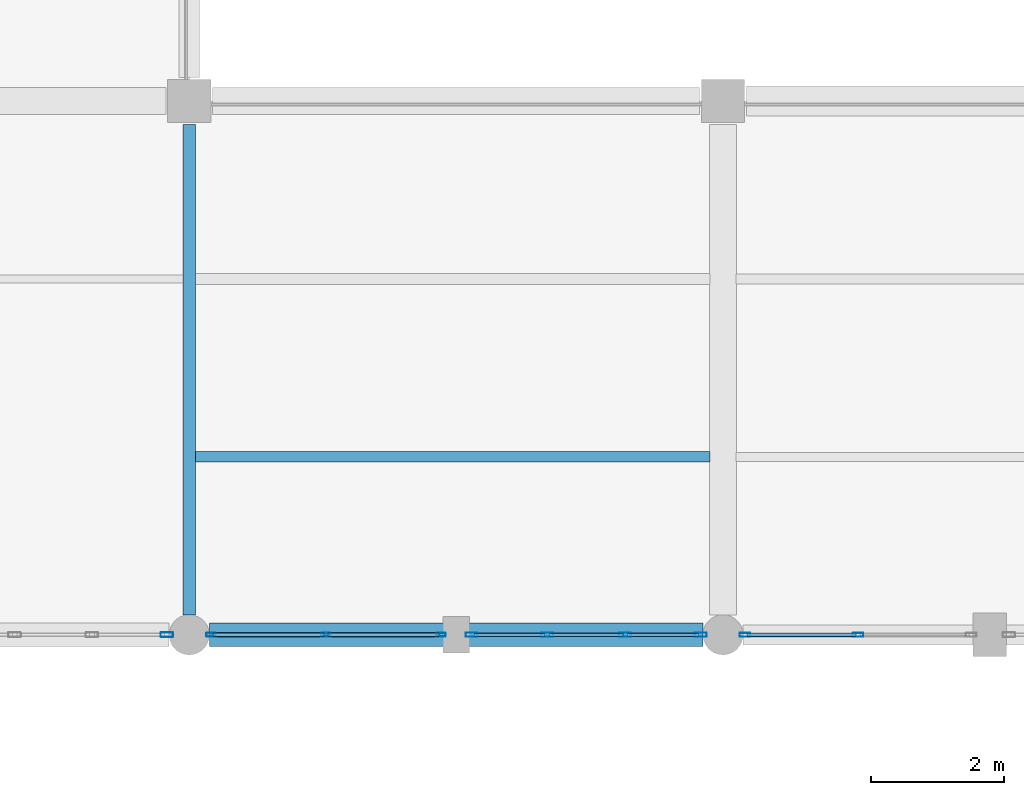
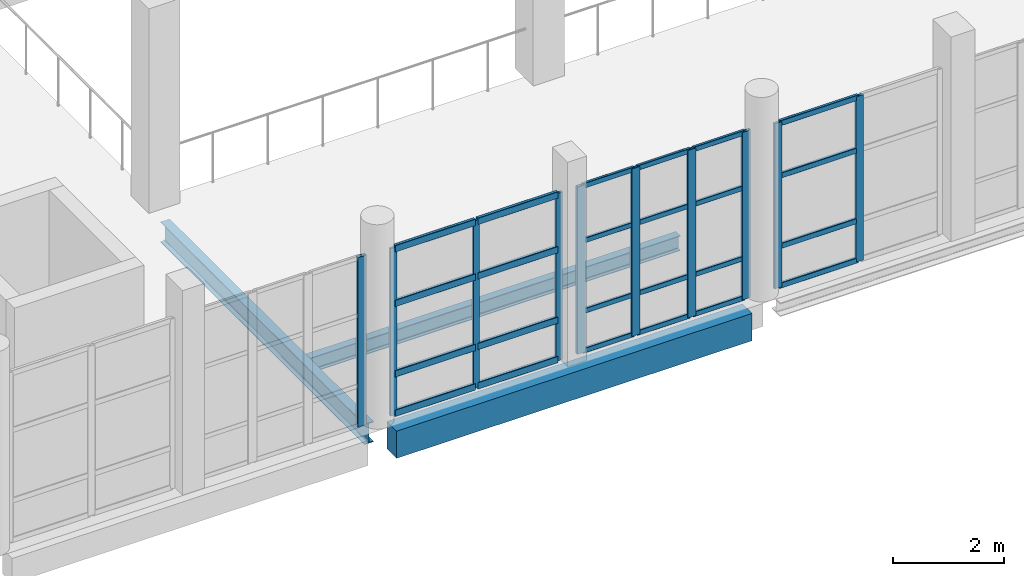
# One storey, part 16 of 183: 34 members, 3 beams, 4 elements without a shape of their own.
"""IFC4 building model written with IfcOpenShell, lengths in metres."""

from ifc_helpers import new_model, si_unit, direction, frame, origin, origin_2d, place, context, subcontext, project, spatial, rectangle, hollow_rectangle, i_section, extrude, material, material_profile, profile_set, type_object, element, aggregate, save


model = new_model("IFC4")

# Units and contexts
model_context = context("Model", 3, precision=1e-05, world=origin(), true_north=direction((0.0, 1.0)))
body_context = subcontext(model_context, "Body", "Model", "MODEL_VIEW")
ifc_project = project(units=[si_unit("LENGTHUNIT", "METRE"), si_unit("AREAUNIT", "SQUARE_METRE"), si_unit("VOLUMEUNIT", "CUBIC_METRE"), si_unit("PLANEANGLEUNIT", "RADIAN"), si_unit("MASSUNIT", "GRAM", prefix="KILO")], contexts=[model_context])

# Site, building, storey
site_placement = place(None, origin())
site = spatial("IfcSite", under=ifc_project, at=site_placement, CompositionType="ELEMENT")
building_placement = place(site_placement, origin())
building = spatial("IfcBuilding", under=site, at=building_placement, Name="Luwemba Playhouse", CompositionType="ELEMENT")
storey_placement = place(building_placement, frame((0.0, 0.0, 4.800048828125)))
storey = spatial("IfcBuildingStorey", under=building, at=storey_placement, Name="L01", CompositionType="ELEMENT", Elevation=4.800048828125)

# Beams
ifc_material_1 = material(Name="Steel S355", Category="steel")
ifc_material_profile_1 = material_profile(ifc_material_1, i_section(OverallWidth=0.18994140625, OverallDepth=0.449951171875, WebThickness=0.009521484375, FlangeThickness=0.0146484375, FilletRadius=0.02099609375, at=origin_2d()))
ifc_profile_set_1 = profile_set([ifc_material_profile_1], Name="Steel S355")
beam_type_1 = type_object("IfcBeamType", Name="BM-SB06", PredefinedType="BEAM", material=ifc_profile_set_1)
beam_1_placement = place(storey_placement, frame((20.0, 3.300048828125, -0.47509765625), z_axis=(0.0, 1.0, 0.0), x_axis=(-1.0, 0.0, 0.0)))
element("IfcBeam", 1, at=beam_1_placement, inside=storey, type_object=beam_type_1, Name="L01 transverse girder 0502", PredefinedType="BEAM", context=body_context, shape_type="SweptSolid", body=[
    extrude(i_section(OverallWidth=0.18994140625, OverallDepth=0.449951171875, WebThickness=0.009521484375, FlangeThickness=0.0146484375, FilletRadius=0.02099609375, at=origin_2d()), origin(), (0.0, 0.0, 1.0), 7.349853515625),
])
ifc_material_profile_2 = material_profile(ifc_material_1, i_section(OverallWidth=0.159912109375, OverallDepth=0.330078125, WebThickness=0.007568359375, FlangeThickness=0.011474609375, FilletRadius=0.01806640625, at=origin_2d()))
ifc_profile_set_2 = profile_set([ifc_material_profile_2], Name="Steel S355")
beam_type_2 = type_object("IfcBeamType", Name="BM-SJ06", PredefinedType="JOIST", material=ifc_profile_set_2)
beam_2_placement = place(storey_placement, frame((20.091064453125, 5.666748046875, -0.4150390625), z_axis=(1.0, 0.0, 0.0), x_axis=(0.0, 1.0, 0.0)))
element("IfcBeam", 2, at=beam_2_placement, inside=storey, type_object=beam_type_2, Name="L01 composite floor joist 0283", PredefinedType="JOIST", context=body_context, shape_type="SweptSolid", body=[
    extrude(i_section(OverallWidth=0.159912109375, OverallDepth=0.330078125, WebThickness=0.007568359375, FlangeThickness=0.011474609375, FilletRadius=0.01806640625, at=origin_2d()), origin(), (0.0, 0.0, 1.0), 7.712890625),
])
ifc_material_2 = material(Name="Concrete C40/50", Category="concrete")
ifc_material_profile_3 = material_profile(ifc_material_2, rectangle(XDim=0.35009765625, YDim=0.60009765625, at=origin_2d()))
ifc_profile_set_3 = profile_set([ifc_material_profile_3], Name="Concrete C40/50")
beam_type_3 = type_object("IfcBeamType", Name="BM-SP3", PredefinedType="SPANDREL", material=ifc_profile_set_3)
beam_3_placement = place(storey_placement, frame((20.300048828125, 3.0, -0.550048828125), z_axis=(1.0, 0.0, 0.0), x_axis=(0.0, 1.0, 0.0)))
element("IfcBeam", 3, at=beam_3_placement, inside=storey, type_object=beam_type_3, Name="L01 grid girder 0470", PredefinedType="SPANDREL", context=body_context, shape_type="SweptSolid", body=[
    extrude(rectangle(XDim=0.35009765625, YDim=0.60009765625, at=origin_2d()), origin(), (0.0, 0.0, 1.0), 7.39990234375),
])

# Curtain wall, members
ifc_material_3 = material(Name="Solar-control double glazing", Category="glass")
curtain_wall_type_1 = type_object("IfcCurtainWallType", Name="CW-CW99", PredefinedType="USERDEFINED", material=ifc_material_3)
curtain_wall_1_placement = place(storey_placement, origin())
curtain_wall_1 = element("IfcCurtainWall", 4, at=curtain_wall_1_placement, inside=storey, type_object=curtain_wall_type_1, Name="L01 V5W unitised curtain wall 146", ObjectType="UNITISED GLAZING", PredefinedType="USERDEFINED")
ifc_material_4 = material(Name="Aluminium 6063-T6", Category="aluminium")
ifc_material_profile_4 = material_profile(ifc_material_4, hollow_rectangle(XDim=0.06005859375, YDim=0.159912109375, WallThickness=0.00390625, InnerFilletRadius=0.006103515625, OuterFilletRadius=0.010009765625, at=origin_2d()))
ifc_profile_set_4 = profile_set([ifc_material_profile_4], Name="Aluminium 6063-T6")
member_type_1 = type_object("IfcMemberType", Name="CWM-M1", PredefinedType="MULLION", material=ifc_profile_set_4)
member_1_placement = place(storey_placement, frame((30.02490234375, 3.0, 0.0), z_axis=(0.0, 0.0, 1.0), x_axis=(0.0, -1.0, 0.0)))
member_1 = element("IfcMember", 5, at=member_1_placement, type_object=member_type_1, Name="CW99 mullion 2", PredefinedType="MULLION", context=body_context, shape_type="SweptSolid", body=[
    extrude(hollow_rectangle(XDim=0.06005859375, YDim=0.159912109375, WallThickness=0.00390625, InnerFilletRadius=0.006103515625, OuterFilletRadius=0.010009765625, at=origin_2d()), origin(), (0.0, 0.0, 1.0), 3.635009765625),
])
member_2_placement = place(storey_placement, frame((28.330078125, 3.0, 0.0), z_axis=(0.0, 0.0, 1.0), x_axis=(0.0, -1.0, 0.0)))
member_2 = element("IfcMember", 6, at=member_2_placement, type_object=member_type_1, Name="CW99 mullion 3", PredefinedType="MULLION", context=body_context, shape_type="SweptSolid", body=[
    extrude(hollow_rectangle(XDim=0.06005859375, YDim=0.159912109375, WallThickness=0.00390625, InnerFilletRadius=0.006103515625, OuterFilletRadius=0.010009765625, at=origin_2d()), origin(), (0.0, 0.0, 1.0), 3.635009765625),
])

curtain_wall_type_2 = type_object("IfcCurtainWallType", Name="CW-CW81", PredefinedType="USERDEFINED", material=ifc_material_3)
curtain_wall_2_placement = place(storey_placement, origin())
curtain_wall_2 = element("IfcCurtainWall", 7, at=curtain_wall_2_placement, inside=storey, type_object=curtain_wall_type_2, Name="L01 V5W unitised curtain wall 147", ObjectType="UNITISED GLAZING", PredefinedType="USERDEFINED")
ifc_material_profile_5 = material_profile(ifc_material_4, hollow_rectangle(XDim=0.06494140625, YDim=0.179931640625, WallThickness=0.00439453125, InnerFilletRadius=0.0068359375, OuterFilletRadius=0.01123046875, at=origin_2d()))
ifc_profile_set_5 = profile_set([ifc_material_profile_5], Name="Aluminium 6063-T6")
member_type_2 = type_object("IfcMemberType", Name="CWM-M2", PredefinedType="MULLION", material=ifc_profile_set_5)
member_3_placement = place(storey_placement, frame((27.66748046875, 3.0, 0.0), z_axis=(0.0, 0.0, 1.0), x_axis=(0.0, -1.0, 0.0)))
member_3 = element("IfcMember", 8, at=member_3_placement, type_object=member_type_2, Name="CW81 mullion 1", PredefinedType="MULLION", context=body_context, shape_type="SweptSolid", body=[
    extrude(hollow_rectangle(XDim=0.06494140625, YDim=0.179931640625, WallThickness=0.00439453125, InnerFilletRadius=0.0068359375, OuterFilletRadius=0.01123046875, at=origin_2d()), origin(), (0.0, 0.0, 1.0), 3.68505859375),
])
member_4_placement = place(storey_placement, frame((26.533447265625, 3.0, 0.0), z_axis=(0.0, 0.0, 1.0), x_axis=(0.0, -1.0, 0.0)))
member_4 = element("IfcMember", 9, at=member_4_placement, type_object=member_type_2, Name="CW81 mullion 2", PredefinedType="MULLION", context=body_context, shape_type="SweptSolid", body=[
    extrude(hollow_rectangle(XDim=0.06494140625, YDim=0.179931640625, WallThickness=0.00439453125, InnerFilletRadius=0.0068359375, OuterFilletRadius=0.01123046875, at=origin_2d()), origin(), (0.0, 0.0, 1.0), 3.68505859375),
])
member_5_placement = place(storey_placement, frame((25.36669921875, 3.0, 0.0), z_axis=(0.0, 0.0, 1.0), x_axis=(0.0, -1.0, 0.0)))
member_5 = element("IfcMember", 10, at=member_5_placement, type_object=member_type_2, Name="CW81 mullion 3", PredefinedType="MULLION", context=body_context, shape_type="SweptSolid", body=[
    extrude(hollow_rectangle(XDim=0.06494140625, YDim=0.179931640625, WallThickness=0.00439453125, InnerFilletRadius=0.0068359375, OuterFilletRadius=0.01123046875, at=origin_2d()), origin(), (0.0, 0.0, 1.0), 3.68505859375),
])
member_6_placement = place(storey_placement, frame((24.232421875, 3.0, 0.0), z_axis=(0.0, 0.0, 1.0), x_axis=(0.0, -1.0, 0.0)))
member_6 = element("IfcMember", 11, at=member_6_placement, type_object=member_type_2, Name="CW81 mullion 4", PredefinedType="MULLION", context=body_context, shape_type="SweptSolid", body=[
    extrude(hollow_rectangle(XDim=0.06494140625, YDim=0.179931640625, WallThickness=0.00439453125, InnerFilletRadius=0.0068359375, OuterFilletRadius=0.01123046875, at=origin_2d()), origin(), (0.0, 0.0, 1.0), 3.68505859375),
])

curtain_wall_type_3 = type_object("IfcCurtainWallType", Name="CW-CW112", PredefinedType="USERDEFINED", material=ifc_material_3)
curtain_wall_3_placement = place(storey_placement, origin())
curtain_wall_3 = element("IfcCurtainWall", 12, at=curtain_wall_3_placement, inside=storey, type_object=curtain_wall_type_3, Name="L01 V5W unitised curtain wall 148", ObjectType="UNITISED GLAZING", PredefinedType="USERDEFINED")
ifc_material_profile_6 = material_profile(ifc_material_4, hollow_rectangle(XDim=0.054931640625, YDim=0.139892578125, WallThickness=0.00390625, InnerFilletRadius=0.006103515625, OuterFilletRadius=0.010009765625, at=origin_2d()))
ifc_profile_set_6 = profile_set([ifc_material_profile_6], Name="Aluminium 6063-T6")
member_type_3 = type_object("IfcMemberType", Name="CWM-M3", PredefinedType="MULLION", material=ifc_profile_set_6)
member_7_placement = place(storey_placement, frame((23.7724609375, 3.0, 0.0), z_axis=(0.0, 0.0, 1.0), x_axis=(0.0, -1.0, 0.0)))
member_7 = element("IfcMember", 13, at=member_7_placement, type_object=member_type_3, Name="CW112 mullion 1", PredefinedType="MULLION", context=body_context, shape_type="SweptSolid", body=[
    extrude(hollow_rectangle(XDim=0.054931640625, YDim=0.139892578125, WallThickness=0.00390625, InnerFilletRadius=0.006103515625, OuterFilletRadius=0.010009765625, at=origin_2d()), origin(), (0.0, 0.0, 1.0), 3.68505859375),
])
member_8_placement = place(storey_placement, frame((22.050048828125, 3.0, 0.0), z_axis=(0.0, 0.0, 1.0), x_axis=(0.0, -1.0, 0.0)))
member_8 = element("IfcMember", 14, at=member_8_placement, type_object=member_type_3, Name="CW112 mullion 2", PredefinedType="MULLION", context=body_context, shape_type="SweptSolid", body=[
    extrude(hollow_rectangle(XDim=0.054931640625, YDim=0.139892578125, WallThickness=0.00390625, InnerFilletRadius=0.006103515625, OuterFilletRadius=0.010009765625, at=origin_2d()), origin(), (0.0, 0.0, 1.0), 3.68505859375),
])
member_9_placement = place(storey_placement, frame((20.327392578125, 3.0, 0.0), z_axis=(0.0, 0.0, 1.0), x_axis=(0.0, -1.0, 0.0)))
member_9 = element("IfcMember", 15, at=member_9_placement, type_object=member_type_3, Name="CW112 mullion 3", PredefinedType="MULLION", context=body_context, shape_type="SweptSolid", body=[
    extrude(hollow_rectangle(XDim=0.054931640625, YDim=0.139892578125, WallThickness=0.00390625, InnerFilletRadius=0.006103515625, OuterFilletRadius=0.010009765625, at=origin_2d()), origin(), (0.0, 0.0, 1.0), 3.68505859375),
])

# Curtain wall, member
curtain_wall_type_4 = type_object("IfcCurtainWallType", Name="CW-CW113", PredefinedType="USERDEFINED", material=ifc_material_3)
curtain_wall_4_placement = place(storey_placement, origin())
curtain_wall_4 = element("IfcCurtainWall", 16, at=curtain_wall_4_placement, inside=storey, type_object=curtain_wall_type_4, Name="L01 V5W unitised curtain wall 149", ObjectType="UNITISED GLAZING", PredefinedType="USERDEFINED")
ifc_material_profile_7 = material_profile(ifc_material_4, hollow_rectangle(XDim=0.070068359375, YDim=0.18994140625, WallThickness=0.0048828125, InnerFilletRadius=0.007568359375, OuterFilletRadius=0.012451171875, at=origin_2d()))
ifc_profile_set_7 = profile_set([ifc_material_profile_7], Name="Aluminium 6063-T6")
member_type_4 = type_object("IfcMemberType", Name="CWM-M4", PredefinedType="MULLION", material=ifc_profile_set_7)
member_10_placement = place(storey_placement, frame((19.6650390625, 3.0, 0.0), z_axis=(0.0, 0.0, 1.0), x_axis=(0.0, -1.0, 0.0)))
member_10 = element("IfcMember", 17, at=member_10_placement, type_object=member_type_4, Name="CW113 mullion 1", PredefinedType="MULLION", context=body_context, shape_type="SweptSolid", body=[
    extrude(hollow_rectangle(XDim=0.070068359375, YDim=0.18994140625, WallThickness=0.0048828125, InnerFilletRadius=0.007568359375, OuterFilletRadius=0.012451171875, at=origin_2d()), origin(), (0.0, 0.0, 1.0), 3.73486328125),
])
aggregate(curtain_wall_4, [member_10])

# Member
ifc_material_profile_8 = material_profile(ifc_material_4, hollow_rectangle(XDim=0.06005859375, YDim=0.1201171875, WallThickness=0.00390625, InnerFilletRadius=0.006103515625, OuterFilletRadius=0.010009765625, at=origin_2d()))
ifc_profile_set_8 = profile_set([ifc_material_profile_8], Name="Aluminium 6063-T6")
member_type_5 = type_object("IfcMemberType", Name="CWT-T1", PredefinedType="USERDEFINED", material=ifc_profile_set_8)
member_11_placement = place(storey_placement, frame((29.9951171875, 3.0, 0.030029296875), z_axis=(-1.0, 0.0, 0.0), x_axis=(0.0, -1.0, 0.0)))
member_11 = element("IfcMember", 18, at=member_11_placement, type_object=member_type_5, Name="CW99 transom 2.1", ObjectType="TRANSOM", PredefinedType="USERDEFINED", context=body_context, shape_type="SweptSolid", body=[
    extrude(hollow_rectangle(XDim=0.06005859375, YDim=0.1201171875, WallThickness=0.00390625, InnerFilletRadius=0.006103515625, OuterFilletRadius=0.010009765625, at=origin_2d()), origin(), (0.0, 0.0, 1.0), 1.635009765625),
])

member_12_placement = place(storey_placement, frame((29.9951171875, 3.0, 0.89990234375), z_axis=(-1.0, 0.0, 0.0), x_axis=(0.0, -1.0, 0.0)))
member_12 = element("IfcMember", 19, at=member_12_placement, type_object=member_type_5, Name="CW99 transom 2.2", ObjectType="TRANSOM", PredefinedType="USERDEFINED", context=body_context, shape_type="SweptSolid", body=[
    extrude(hollow_rectangle(XDim=0.06005859375, YDim=0.1201171875, WallThickness=0.00390625, InnerFilletRadius=0.006103515625, OuterFilletRadius=0.010009765625, at=origin_2d()), origin(), (0.0, 0.0, 1.0), 1.635009765625),
])

member_13_placement = place(storey_placement, frame((29.9951171875, 3.0, 2.449951171875), z_axis=(-1.0, 0.0, 0.0), x_axis=(0.0, -1.0, 0.0)))
member_13 = element("IfcMember", 20, at=member_13_placement, type_object=member_type_5, Name="CW99 transom 2.3", ObjectType="TRANSOM", PredefinedType="USERDEFINED", context=body_context, shape_type="SweptSolid", body=[
    extrude(hollow_rectangle(XDim=0.06005859375, YDim=0.1201171875, WallThickness=0.00390625, InnerFilletRadius=0.006103515625, OuterFilletRadius=0.010009765625, at=origin_2d()), origin(), (0.0, 0.0, 1.0), 1.635009765625),
])

member_14_placement = place(storey_placement, frame((29.9951171875, 3.0, 3.60498046875), z_axis=(-1.0, 0.0, 0.0), x_axis=(0.0, -1.0, 0.0)))
member_14 = element("IfcMember", 21, at=member_14_placement, type_object=member_type_5, Name="CW99 transom 2.4", ObjectType="TRANSOM", PredefinedType="USERDEFINED", context=body_context, shape_type="SweptSolid", body=[
    extrude(hollow_rectangle(XDim=0.06005859375, YDim=0.1201171875, WallThickness=0.00390625, InnerFilletRadius=0.006103515625, OuterFilletRadius=0.010009765625, at=origin_2d()), origin(), (0.0, 0.0, 1.0), 1.635009765625),
])

aggregate(curtain_wall_1, [member_1, member_2, member_11, member_12, member_13, member_14])

ifc_material_profile_9 = material_profile(ifc_material_4, hollow_rectangle(XDim=0.054931640625, YDim=0.110107421875, WallThickness=0.00341796875, InnerFilletRadius=0.00537109375, OuterFilletRadius=0.0087890625, at=origin_2d()))
ifc_profile_set_9 = profile_set([ifc_material_profile_9], Name="Aluminium 6063-T6")
member_type_6 = type_object("IfcMemberType", Name="CWT-T2", PredefinedType="USERDEFINED", material=ifc_profile_set_9)
member_15_placement = place(storey_placement, frame((27.635009765625, 3.0, 0.02734375), z_axis=(-1.0, 0.0, 0.0), x_axis=(0.0, -1.0, 0.0)))
member_15 = element("IfcMember", 22, at=member_15_placement, type_object=member_type_6, Name="CW81 transom 1.1", ObjectType="TRANSOM", PredefinedType="USERDEFINED", context=body_context, shape_type="SweptSolid", body=[
    extrude(hollow_rectangle(XDim=0.054931640625, YDim=0.110107421875, WallThickness=0.00341796875, InnerFilletRadius=0.00537109375, OuterFilletRadius=0.0087890625, at=origin_2d()), origin(), (0.0, 0.0, 1.0), 1.069091796875),
])

member_16_placement = place(storey_placement, frame((27.635009765625, 3.0, 0.89990234375), z_axis=(-1.0, 0.0, 0.0), x_axis=(0.0, -1.0, 0.0)))
member_16 = element("IfcMember", 23, at=member_16_placement, type_object=member_type_6, Name="CW81 transom 1.2", ObjectType="TRANSOM", PredefinedType="USERDEFINED", context=body_context, shape_type="SweptSolid", body=[
    extrude(hollow_rectangle(XDim=0.054931640625, YDim=0.110107421875, WallThickness=0.00341796875, InnerFilletRadius=0.00537109375, OuterFilletRadius=0.0087890625, at=origin_2d()), origin(), (0.0, 0.0, 1.0), 1.069091796875),
])

member_17_placement = place(storey_placement, frame((27.635009765625, 3.0, 2.449951171875), z_axis=(-1.0, 0.0, 0.0), x_axis=(0.0, -1.0, 0.0)))
member_17 = element("IfcMember", 24, at=member_17_placement, type_object=member_type_6, Name="CW81 transom 1.3", ObjectType="TRANSOM", PredefinedType="USERDEFINED", context=body_context, shape_type="SweptSolid", body=[
    extrude(hollow_rectangle(XDim=0.054931640625, YDim=0.110107421875, WallThickness=0.00341796875, InnerFilletRadius=0.00537109375, OuterFilletRadius=0.0087890625, at=origin_2d()), origin(), (0.0, 0.0, 1.0), 1.069091796875),
])

member_18_placement = place(storey_placement, frame((27.635009765625, 3.0, 3.657470703125), z_axis=(-1.0, 0.0, 0.0), x_axis=(0.0, -1.0, 0.0)))
member_18 = element("IfcMember", 25, at=member_18_placement, type_object=member_type_6, Name="CW81 transom 1.4", ObjectType="TRANSOM", PredefinedType="USERDEFINED", context=body_context, shape_type="SweptSolid", body=[
    extrude(hollow_rectangle(XDim=0.054931640625, YDim=0.110107421875, WallThickness=0.00341796875, InnerFilletRadius=0.00537109375, OuterFilletRadius=0.0087890625, at=origin_2d()), origin(), (0.0, 0.0, 1.0), 1.069091796875),
])

member_19_placement = place(storey_placement, frame((26.500732421875, 3.0, 0.02734375), z_axis=(-1.0, 0.0, 0.0), x_axis=(0.0, -1.0, 0.0)))
member_19 = element("IfcMember", 26, at=member_19_placement, type_object=member_type_6, Name="CW81 transom 2.1", ObjectType="TRANSOM", PredefinedType="USERDEFINED", context=body_context, shape_type="SweptSolid", body=[
    extrude(hollow_rectangle(XDim=0.054931640625, YDim=0.110107421875, WallThickness=0.00341796875, InnerFilletRadius=0.00537109375, OuterFilletRadius=0.0087890625, at=origin_2d()), origin(), (0.0, 0.0, 1.0), 1.1015625),
])

member_20_placement = place(storey_placement, frame((26.500732421875, 3.0, 0.89990234375), z_axis=(-1.0, 0.0, 0.0), x_axis=(0.0, -1.0, 0.0)))
member_20 = element("IfcMember", 27, at=member_20_placement, type_object=member_type_6, Name="CW81 transom 2.2", ObjectType="TRANSOM", PredefinedType="USERDEFINED", context=body_context, shape_type="SweptSolid", body=[
    extrude(hollow_rectangle(XDim=0.054931640625, YDim=0.110107421875, WallThickness=0.00341796875, InnerFilletRadius=0.00537109375, OuterFilletRadius=0.0087890625, at=origin_2d()), origin(), (0.0, 0.0, 1.0), 1.1015625),
])

member_21_placement = place(storey_placement, frame((26.500732421875, 3.0, 2.449951171875), z_axis=(-1.0, 0.0, 0.0), x_axis=(0.0, -1.0, 0.0)))
member_21 = element("IfcMember", 28, at=member_21_placement, type_object=member_type_6, Name="CW81 transom 2.3", ObjectType="TRANSOM", PredefinedType="USERDEFINED", context=body_context, shape_type="SweptSolid", body=[
    extrude(hollow_rectangle(XDim=0.054931640625, YDim=0.110107421875, WallThickness=0.00341796875, InnerFilletRadius=0.00537109375, OuterFilletRadius=0.0087890625, at=origin_2d()), origin(), (0.0, 0.0, 1.0), 1.1015625),
])

member_22_placement = place(storey_placement, frame((26.500732421875, 3.0, 3.657470703125), z_axis=(-1.0, 0.0, 0.0), x_axis=(0.0, -1.0, 0.0)))
member_22 = element("IfcMember", 29, at=member_22_placement, type_object=member_type_6, Name="CW81 transom 2.4", ObjectType="TRANSOM", PredefinedType="USERDEFINED", context=body_context, shape_type="SweptSolid", body=[
    extrude(hollow_rectangle(XDim=0.054931640625, YDim=0.110107421875, WallThickness=0.00341796875, InnerFilletRadius=0.00537109375, OuterFilletRadius=0.0087890625, at=origin_2d()), origin(), (0.0, 0.0, 1.0), 1.1015625),
])

member_23_placement = place(storey_placement, frame((25.334228515625, 3.0, 0.02734375), z_axis=(-1.0, 0.0, 0.0), x_axis=(0.0, -1.0, 0.0)))
member_23 = element("IfcMember", 30, at=member_23_placement, type_object=member_type_6, Name="CW81 transom 3.1", ObjectType="TRANSOM", PredefinedType="USERDEFINED", context=body_context, shape_type="SweptSolid", body=[
    extrude(hollow_rectangle(XDim=0.054931640625, YDim=0.110107421875, WallThickness=0.00341796875, InnerFilletRadius=0.00537109375, OuterFilletRadius=0.0087890625, at=origin_2d()), origin(), (0.0, 0.0, 1.0), 1.0693359375),
])

member_24_placement = place(storey_placement, frame((25.334228515625, 3.0, 0.89990234375), z_axis=(-1.0, 0.0, 0.0), x_axis=(0.0, -1.0, 0.0)))
member_24 = element("IfcMember", 31, at=member_24_placement, type_object=member_type_6, Name="CW81 transom 3.2", ObjectType="TRANSOM", PredefinedType="USERDEFINED", context=body_context, shape_type="SweptSolid", body=[
    extrude(hollow_rectangle(XDim=0.054931640625, YDim=0.110107421875, WallThickness=0.00341796875, InnerFilletRadius=0.00537109375, OuterFilletRadius=0.0087890625, at=origin_2d()), origin(), (0.0, 0.0, 1.0), 1.0693359375),
])

member_25_placement = place(storey_placement, frame((25.334228515625, 3.0, 2.449951171875), z_axis=(-1.0, 0.0, 0.0), x_axis=(0.0, -1.0, 0.0)))
member_25 = element("IfcMember", 32, at=member_25_placement, type_object=member_type_6, Name="CW81 transom 3.3", ObjectType="TRANSOM", PredefinedType="USERDEFINED", context=body_context, shape_type="SweptSolid", body=[
    extrude(hollow_rectangle(XDim=0.054931640625, YDim=0.110107421875, WallThickness=0.00341796875, InnerFilletRadius=0.00537109375, OuterFilletRadius=0.0087890625, at=origin_2d()), origin(), (0.0, 0.0, 1.0), 1.0693359375),
])

member_26_placement = place(storey_placement, frame((25.334228515625, 3.0, 3.657470703125), z_axis=(-1.0, 0.0, 0.0), x_axis=(0.0, -1.0, 0.0)))
member_26 = element("IfcMember", 33, at=member_26_placement, type_object=member_type_6, Name="CW81 transom 3.4", ObjectType="TRANSOM", PredefinedType="USERDEFINED", context=body_context, shape_type="SweptSolid", body=[
    extrude(hollow_rectangle(XDim=0.054931640625, YDim=0.110107421875, WallThickness=0.00341796875, InnerFilletRadius=0.00537109375, OuterFilletRadius=0.0087890625, at=origin_2d()), origin(), (0.0, 0.0, 1.0), 1.0693359375),
])

aggregate(curtain_wall_2, [member_3, member_4, member_5, member_6, member_15, member_16, member_17, member_18, member_19, member_20, member_21, member_22, member_23, member_24, member_25, member_26])

ifc_material_profile_10 = material_profile(ifc_material_4, hollow_rectangle(XDim=0.06494140625, YDim=0.14990234375, WallThickness=0.00390625, InnerFilletRadius=0.006103515625, OuterFilletRadius=0.010009765625, at=origin_2d()))
ifc_profile_set_10 = profile_set([ifc_material_profile_10], Name="Aluminium 6063-T6")
member_type_7 = type_object("IfcMemberType", Name="CWT-T3", PredefinedType="USERDEFINED", material=ifc_profile_set_10)
member_27_placement = place(storey_placement, frame((23.7451171875, 3.0, 0.032470703125), z_axis=(-1.0, 0.0, 0.0), x_axis=(0.0, -1.0, 0.0)))
member_27 = element("IfcMember", 34, at=member_27_placement, type_object=member_type_7, Name="CW112 transom 1.1", ObjectType="TRANSOM", PredefinedType="USERDEFINED", context=body_context, shape_type="SweptSolid", body=[
    extrude(hollow_rectangle(XDim=0.06494140625, YDim=0.14990234375, WallThickness=0.00390625, InnerFilletRadius=0.006103515625, OuterFilletRadius=0.010009765625, at=origin_2d()), origin(), (0.0, 0.0, 1.0), 1.667724609375),
])

member_28_placement = place(storey_placement, frame((23.7451171875, 3.0, 0.89990234375), z_axis=(-1.0, 0.0, 0.0), x_axis=(0.0, -1.0, 0.0)))
member_28 = element("IfcMember", 35, at=member_28_placement, type_object=member_type_7, Name="CW112 transom 1.2", ObjectType="TRANSOM", PredefinedType="USERDEFINED", context=body_context, shape_type="SweptSolid", body=[
    extrude(hollow_rectangle(XDim=0.06494140625, YDim=0.14990234375, WallThickness=0.00390625, InnerFilletRadius=0.006103515625, OuterFilletRadius=0.010009765625, at=origin_2d()), origin(), (0.0, 0.0, 1.0), 1.667724609375),
])

member_29_placement = place(storey_placement, frame((23.7451171875, 3.0, 2.449951171875), z_axis=(-1.0, 0.0, 0.0), x_axis=(0.0, -1.0, 0.0)))
member_29 = element("IfcMember", 36, at=member_29_placement, type_object=member_type_7, Name="CW112 transom 1.3", ObjectType="TRANSOM", PredefinedType="USERDEFINED", context=body_context, shape_type="SweptSolid", body=[
    extrude(hollow_rectangle(XDim=0.06494140625, YDim=0.14990234375, WallThickness=0.00390625, InnerFilletRadius=0.006103515625, OuterFilletRadius=0.010009765625, at=origin_2d()), origin(), (0.0, 0.0, 1.0), 1.667724609375),
])

member_30_placement = place(storey_placement, frame((23.7451171875, 3.0, 3.65234375), z_axis=(-1.0, 0.0, 0.0), x_axis=(0.0, -1.0, 0.0)))
member_30 = element("IfcMember", 37, at=member_30_placement, type_object=member_type_7, Name="CW112 transom 1.4", ObjectType="TRANSOM", PredefinedType="USERDEFINED", context=body_context, shape_type="SweptSolid", body=[
    extrude(hollow_rectangle(XDim=0.06494140625, YDim=0.14990234375, WallThickness=0.00390625, InnerFilletRadius=0.006103515625, OuterFilletRadius=0.010009765625, at=origin_2d()), origin(), (0.0, 0.0, 1.0), 1.667724609375),
])

member_31_placement = place(storey_placement, frame((22.0224609375, 3.0, 0.032470703125), z_axis=(-1.0, 0.0, 0.0), x_axis=(0.0, -1.0, 0.0)))
member_31 = element("IfcMember", 38, at=member_31_placement, type_object=member_type_7, Name="CW112 transom 2.1", ObjectType="TRANSOM", PredefinedType="USERDEFINED", context=body_context, shape_type="SweptSolid", body=[
    extrude(hollow_rectangle(XDim=0.06494140625, YDim=0.14990234375, WallThickness=0.00390625, InnerFilletRadius=0.006103515625, OuterFilletRadius=0.010009765625, at=origin_2d()), origin(), (0.0, 0.0, 1.0), 1.66748046875),
])

member_32_placement = place(storey_placement, frame((22.0224609375, 3.0, 0.89990234375), z_axis=(-1.0, 0.0, 0.0), x_axis=(0.0, -1.0, 0.0)))
member_32 = element("IfcMember", 39, at=member_32_placement, type_object=member_type_7, Name="CW112 transom 2.2", ObjectType="TRANSOM", PredefinedType="USERDEFINED", context=body_context, shape_type="SweptSolid", body=[
    extrude(hollow_rectangle(XDim=0.06494140625, YDim=0.14990234375, WallThickness=0.00390625, InnerFilletRadius=0.006103515625, OuterFilletRadius=0.010009765625, at=origin_2d()), origin(), (0.0, 0.0, 1.0), 1.66748046875),
])

member_33_placement = place(storey_placement, frame((22.0224609375, 3.0, 2.449951171875), z_axis=(-1.0, 0.0, 0.0), x_axis=(0.0, -1.0, 0.0)))
member_33 = element("IfcMember", 40, at=member_33_placement, type_object=member_type_7, Name="CW112 transom 2.3", ObjectType="TRANSOM", PredefinedType="USERDEFINED", context=body_context, shape_type="SweptSolid", body=[
    extrude(hollow_rectangle(XDim=0.06494140625, YDim=0.14990234375, WallThickness=0.00390625, InnerFilletRadius=0.006103515625, OuterFilletRadius=0.010009765625, at=origin_2d()), origin(), (0.0, 0.0, 1.0), 1.66748046875),
])

member_34_placement = place(storey_placement, frame((22.0224609375, 3.0, 3.65234375), z_axis=(-1.0, 0.0, 0.0), x_axis=(0.0, -1.0, 0.0)))
member_34 = element("IfcMember", 41, at=member_34_placement, type_object=member_type_7, Name="CW112 transom 2.4", ObjectType="TRANSOM", PredefinedType="USERDEFINED", context=body_context, shape_type="SweptSolid", body=[
    extrude(hollow_rectangle(XDim=0.06494140625, YDim=0.14990234375, WallThickness=0.00390625, InnerFilletRadius=0.006103515625, OuterFilletRadius=0.010009765625, at=origin_2d()), origin(), (0.0, 0.0, 1.0), 1.66748046875),
])

aggregate(curtain_wall_3, [member_7, member_8, member_9, member_27, member_28, member_29, member_30, member_31, member_32, member_33, member_34])

save(model, "model.ifc")
